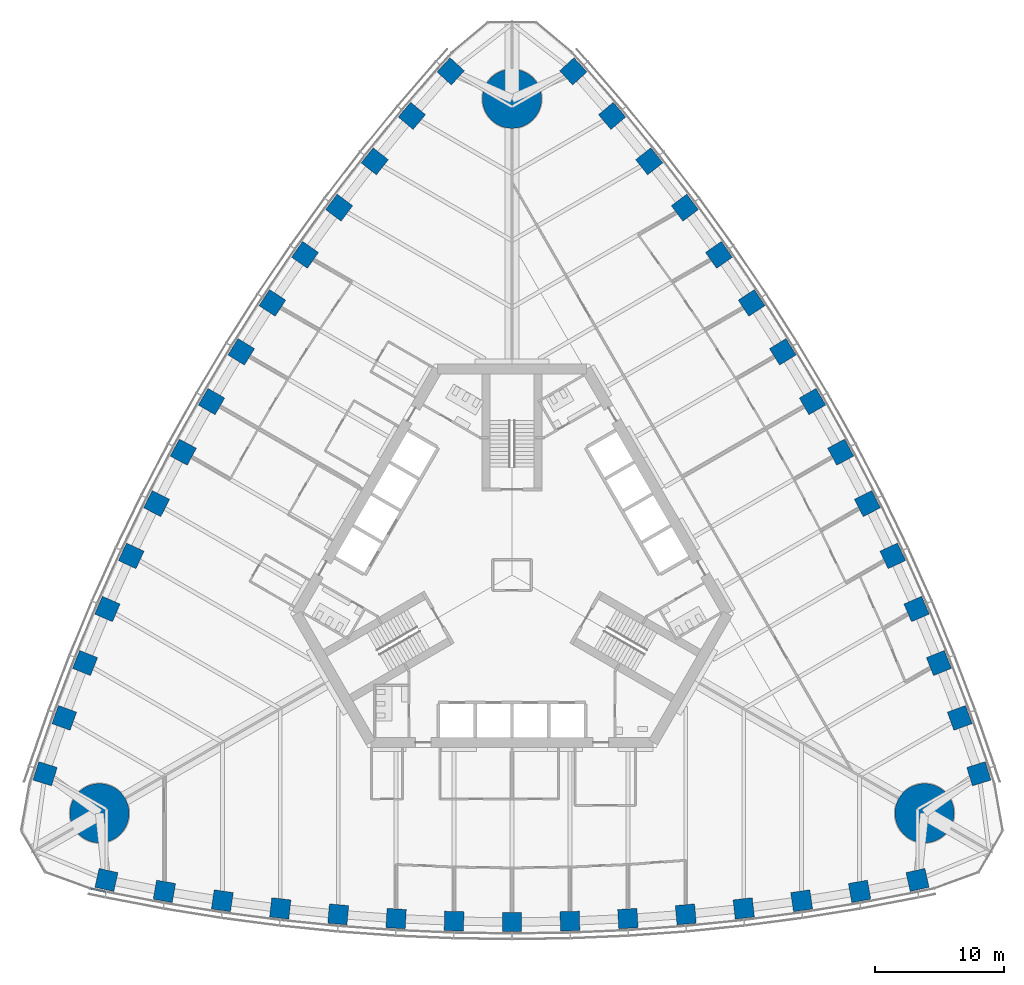
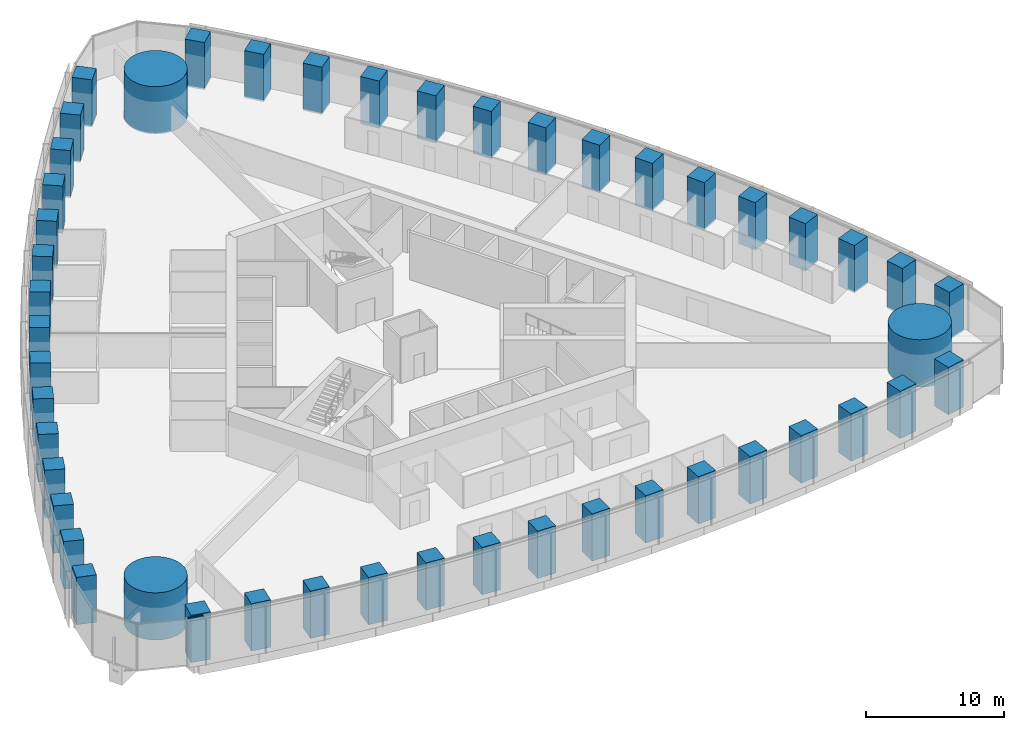
# One storey, part 1 of 18: 48 columns, 1 member, 1 element without a shape of its own.
"""IFC4 building model written with IfcOpenShell, lengths in metres."""

from ifc_helpers import new_model, si_unit, direction, frame, origin, origin_2d, place, context, subcontext, project, spatial, rectangle, circle, extrude, material, material_profile, profile_set, type_object, element, aggregate, save


model = new_model("IFC4")

# Units and contexts
model_context = context("Model", 3, precision=1e-05, world=origin(), true_north=direction((0.0, 1.0)))
body_context = subcontext(model_context, "Body", "Model", "MODEL_VIEW")
ifc_project = project(units=[si_unit("LENGTHUNIT", "METRE"), si_unit("AREAUNIT", "SQUARE_METRE"), si_unit("VOLUMEUNIT", "CUBIC_METRE"), si_unit("PLANEANGLEUNIT", "RADIAN"), si_unit("MASSUNIT", "GRAM", prefix="KILO")], contexts=[model_context])

# Site, building, storey
site_placement = place(None, origin())
site = spatial("IfcSite", under=ifc_project, at=site_placement, CompositionType="ELEMENT")
building_placement = place(site_placement, origin())
building = spatial("IfcBuilding", under=site, at=building_placement, Name="Trefoil Bronze Tower", CompositionType="ELEMENT")
storey_placement = place(building_placement, frame((0.0, 0.0, 41.699951171875)))
storey = spatial("IfcBuildingStorey", under=building, at=storey_placement, Name="L09", CompositionType="ELEMENT", Elevation=41.699951171875)

# Columns
ifc_material_1 = material(Name="Concrete B80", Category="concrete")
ifc_material_profile_1 = material_profile(ifc_material_1, circle(Radius=2.300048828125, at=origin_2d()), Name="RC D4600")
ifc_profile_set_1 = profile_set([ifc_material_profile_1], Name="Concrete B80")
column_type_1 = type_object("IfcColumnType", Name="Mega column RC D4600", PredefinedType="COLUMN", material=ifc_profile_set_1)
for number, where, z_axis, x_axis, name in (
    (1, (32.04296875, -18.5, 0.0), (0.0, 0.0, 1.0), (1.0, 0.0, 0.0), "Mega column K1 L09"),
    (2, (0.0, 37.0, 0.0), (0.0, 0.0, 1.0), (1.0, 0.0, 0.0), "Mega column K2 L09"),
    (3, (-32.04296875, -18.5, 0.0), (0.0, 0.0, 1.0), (1.0, 0.0, 0.0), "Mega column K3 L09"),
):
    element("IfcColumn", number, at=place(storey_placement, frame(where, z_axis=z_axis, x_axis=x_axis)), inside=storey, type_object=column_type_1, Name=name, PredefinedType="COLUMN", context=body_context, shape_type="SweptSolid", body=[
        extrude(circle(Radius=2.300048828125, at=origin_2d()), origin(), (0.0, 0.0, 1.0), 4.199951171875),
    ])
ifc_material_2 = material(Name="Concrete B80", Category="concrete")
ifc_material_profile_2 = material_profile(ifc_material_2, rectangle(XDim=1.5, YDim=1.5, at=origin_2d()), Name="RC 1500x1500")
ifc_profile_set_2 = profile_set([ifc_material_profile_2], Name="Concrete B80")
column_type_2 = type_object("IfcColumnType", Name="Tube column RC 1500x1500", PredefinedType="COLUMN", material=ifc_profile_set_2)
for number, where, z_axis, x_axis, name in (
    (4, (-31.5, -23.684814453125, 0.0), (0.0, 0.0, 1.0), (0.976229647342, -0.216738726697, 0.0), "Tube column F1/-7 L09"),
    (5, (-27.0, -24.56787109375, 0.0), (0.0, 0.0, 1.0), (0.984722470468, -0.174131146426, 0.0), "Tube column F1/-6 L09"),
    (6, (-22.5, -25.29931640625, 0.0), (0.0, 0.0, 1.0), (0.989415676546, -0.145108990094, 0.0), "Tube column F1/-5 L09"),
    (7, (-18.0, -25.895263671875, 0.0), (0.0, 0.0, 1.0), (0.993239048989, -0.116086999973, 0.0), "Tube column F1/-4 L09"),
    (8, (-13.5, -26.35693359375, 0.0), (0.0, 0.0, 1.0), (0.996202620701, -0.087065139456, 0.0), "Tube column F1/-3 L09"),
    (9, (-9.0, -26.68603515625, 0.0), (0.0, 0.0, 1.0), (0.998314062162, -0.058043374207, 0.0), "Tube column F1/-2 L09"),
    (10, (-4.5, -26.883056640625, 0.0), (0.0, 0.0, 1.0), (0.999578782577, -0.029021671584, 0.0), "Tube column F1/-1 L09"),
    (11, (0.0, -26.94873046875, 0.0), (0.0, 0.0, 1.0), (1.0, 0.0, 0.0), "Tube column F1/+0 L09"),
    (12, (4.5, -26.883056640625, 0.0), (0.0, 0.0, 1.0), (0.999578782577, 0.029021671584, 0.0), "Tube column F1/+1 L09"),
    (13, (9.0, -26.68603515625, 0.0), (0.0, 0.0, 1.0), (0.998314062162, 0.058043374207, 0.0), "Tube column F1/+2 L09"),
    (14, (13.5, -26.35693359375, 0.0), (0.0, 0.0, 1.0), (0.996202620701, 0.087065139456, 0.0), "Tube column F1/+3 L09"),
    (15, (18.0, -25.895263671875, 0.0), (0.0, 0.0, 1.0), (0.993239048989, 0.116086999973, 0.0), "Tube column F1/+4 L09"),
    (16, (22.5, -25.29931640625, 0.0), (0.0, 0.0, 1.0), (0.989415676546, 0.145108990094, 0.0), "Tube column F1/+5 L09"),
    (17, (27.0, -24.56787109375, 0.0), (0.0, 0.0, 1.0), (0.984722470468, 0.174131146426, 0.0), "Tube column F1/+6 L09"),
    (18, (31.5, -23.684814453125, 0.0), (0.0, 0.0, 1.0), (0.976229647342, 0.216738726697, 0.0), "Tube column F1/+7 L09"),
    (19, (36.26171875, -15.4375, 0.0), (0.0, 0.0, 1.0), (-0.300413580368, 0.953809037874, 0.0), "Tube column F2/-7 L09"),
    (20, (34.7763671875, -11.0986328125, 0.0), (0.0, 0.0, 1.0), (-0.341559238839, 0.939860248316, 0.0), "Tube column F2/-6 L09"),
    (21, (33.159912109375, -6.8359375, 0.0), (0.0, 0.0, 1.0), (-0.369039766534, 0.929413605838, 0.0), "Tube column F2/-5 L09"),
    (22, (31.42578125, -2.640869140625, 0.0), (0.0, 0.0, 1.0), (-0.396085233469, 0.918213748442, 0.0), "Tube column F2/-4 L09"),
    (23, (29.575927734375, 1.487060546875, 0.0), (0.0, 0.0, 1.0), (-0.422700687798, 0.906269346572, 0.0), "Tube column F2/-3 L09"),
    (24, (27.61083984375, 5.548828125, 0.0), (0.0, 0.0, 1.0), (-0.448889994497, 0.893587025891, 0.0), "Tube column F2/-2 L09"),
    (25, (25.531494140625, 9.54443359375, 0.0), (0.0, 0.0, 1.0), (-0.474655886437, 0.880171454588, 0.0), "Tube column F2/-1 L09"),
    (26, (23.33837890625, 13.474365234375, 0.0), (0.0, 0.0, 1.0), (-0.5, 0.866025403784, 0.0), "Tube column F2/+0 L09"),
    (27, (21.031494140625, 17.338623046875, 0.0), (0.0, 0.0, 1.0), (-0.524922896141, 0.851149783004, 0.0), "Tube column F2/+1 L09"),
    (28, (18.61083984375, 21.13720703125, 0.0), (0.0, 0.0, 1.0), (-0.549424067665, 0.835543651684, 0.0), "Tube column F2/+2 L09"),
    (29, (16.075927734375, 24.869873046875, 0.0), (0.0, 0.0, 1.0), (-0.573501932903, 0.819204207116, 0.0), "Tube column F2/+3 L09"),
    (30, (13.42578125, 28.5361328125, 0.0), (0.0, 0.0, 1.0), (-0.59715381552, 0.802126748469, 0.0), "Tube column F2/+4 L09"),
    (31, (10.659912109375, 32.13525390625, 0.0), (0.0, 0.0, 1.0), (-0.620375910011, 0.784304615744, 0.0), "Tube column F2/+5 L09"),
    (32, (7.7763671875, 35.666748046875, 0.0), (0.0, 0.0, 1.0), (-0.643163231629, 0.765729101889, 0.0), "Tube column F2/+6 L09"),
    (33, (4.76171875, 39.122314453125, 0.0), (0.0, 0.0, 1.0), (-0.675816066975, 0.737070311177, 0.0), "Tube column F2/+7 L09"),
    (34, (-4.76171875, 39.122314453125, 0.0), (0.0, 0.0, 1.0), (-0.675816066975, -0.737070311177, 0.0), "Tube column F3/-7 L09"),
    (35, (-7.7763671875, 35.666748046875, 0.0), (0.0, 0.0, 1.0), (-0.643163231629, -0.765729101889, 0.0), "Tube column F3/-6 L09"),
    (36, (-10.659912109375, 32.13525390625, 0.0), (0.0, 0.0, 1.0), (-0.620375910011, -0.784304615744, 0.0), "Tube column F3/-5 L09"),
    (37, (-13.42578125, 28.5361328125, 0.0), (0.0, 0.0, 1.0), (-0.59715381552, -0.802126748469, 0.0), "Tube column F3/-4 L09"),
    (38, (-16.075927734375, 24.869873046875, 0.0), (0.0, 0.0, 1.0), (-0.573501932903, -0.819204207116, 0.0), "Tube column F3/-3 L09"),
    (39, (-18.61083984375, 21.13720703125, 0.0), (0.0, 0.0, 1.0), (-0.549424067665, -0.835543651684, 0.0), "Tube column F3/-2 L09"),
    (40, (-21.031494140625, 17.338623046875, 0.0), (0.0, 0.0, 1.0), (-0.524922896141, -0.851149783004, 0.0), "Tube column F3/-1 L09"),
    (41, (-23.33837890625, 13.474365234375, 0.0), (0.0, 0.0, 1.0), (-0.5, -0.866025403784, 0.0), "Tube column F3/+0 L09"),
    (42, (-25.531494140625, 9.54443359375, 0.0), (0.0, 0.0, 1.0), (-0.474655886437, -0.880171454588, 0.0), "Tube column F3/+1 L09"),
    (43, (-27.61083984375, 5.548828125, 0.0), (0.0, 0.0, 1.0), (-0.448889994497, -0.893587025891, 0.0), "Tube column F3/+2 L09"),
    (44, (-29.575927734375, 1.487060546875, 0.0), (0.0, 0.0, 1.0), (-0.422700687798, -0.906269346572, 0.0), "Tube column F3/+3 L09"),
    (45, (-31.42578125, -2.640869140625, 0.0), (0.0, 0.0, 1.0), (-0.396085233469, -0.918213748442, 0.0), "Tube column F3/+4 L09"),
    (46, (-33.159912109375, -6.8359375, 0.0), (0.0, 0.0, 1.0), (-0.369039766534, -0.929413605838, 0.0), "Tube column F3/+5 L09"),
    (47, (-34.7763671875, -11.0986328125, 0.0), (0.0, 0.0, 1.0), (-0.341559238839, -0.939860248316, 0.0), "Tube column F3/+6 L09"),
    (48, (-36.26171875, -15.4375, 0.0), (0.0, 0.0, 1.0), (-0.300413580368, -0.953809037874, 0.0), "Tube column F3/+7 L09"),
):
    element("IfcColumn", number, at=place(storey_placement, frame(where, z_axis=z_axis, x_axis=x_axis)), inside=storey, type_object=column_type_2, Name=name, PredefinedType="COLUMN", context=body_context, shape_type="SweptSolid", body=[
        extrude(rectangle(XDim=1.5, YDim=1.5, at=origin_2d()), origin(), (0.0, 0.0, 1.0), 4.199951171875),
    ])

# Curtain wall, member
ifc_material_3 = material(Name="Tinted solar-control glass", Category="glass")
curtain_wall_type = type_object("IfcCurtainWallType", Name="Bronze office curtain wall", PredefinedType="USERDEFINED", material=ifc_material_3)
curtain_wall_placement = place(storey_placement, origin())
curtain_wall = element("IfcCurtainWall", 49, at=curtain_wall_placement, inside=storey, type_object=curtain_wall_type, Name="CW-A L09 F1", ObjectType="CURTAIN WALL", PredefinedType="USERDEFINED")
ifc_material_4 = material(Name="Bronze-finish aluminium", Category="aluminium")
ifc_material_profile_3 = material_profile(ifc_material_4, rectangle(XDim=0.1201171875, YDim=0.10009765625, at=origin_2d()), Name="CW-A transom")
ifc_profile_set_3 = profile_set([ifc_material_profile_3], Name="Bronze-finish aluminium")
member_type = type_object("IfcMemberType", Name="Bronze office curtain wall transom", PredefinedType="USERDEFINED", material=ifc_profile_set_3)
member_placement = place(storey_placement, frame((-32.743896484375, -24.354736328125, 4.130126953125), z_axis=(0.978266371807, -0.207352129942, 0.0), x_axis=(0.207352129942, 0.978266371807, 0.0)))
member = element("IfcMember", 50, at=member_placement, type_object=member_type, Name="CW-A L09 F1 transom 1", ObjectType="TRANSOM", PredefinedType="USERDEFINED", context=body_context, shape_type="SweptSolid", body=[
    extrude(rectangle(XDim=0.1201171875, YDim=0.10009765625, at=origin_2d()), origin(), (0.0, 0.0, 1.0), 1.21044921875),
])
aggregate(curtain_wall, [member])

save(model, "model.ifc")
